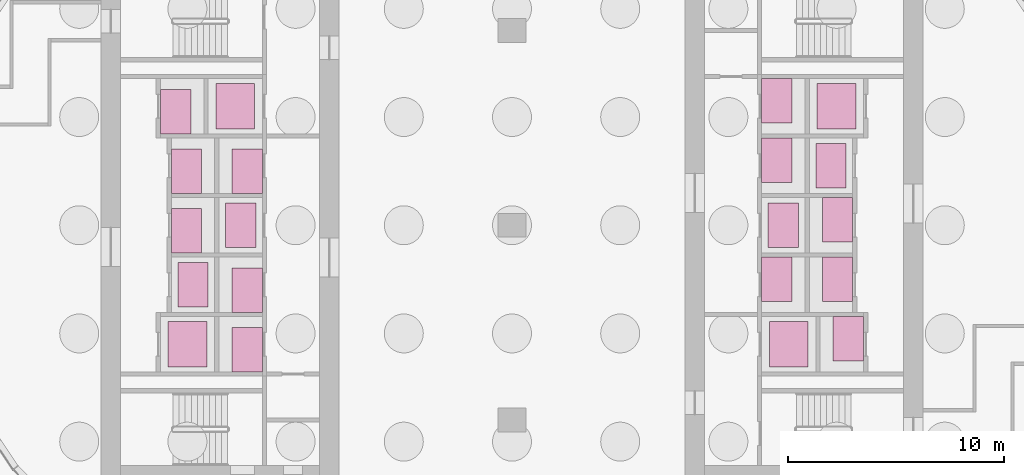
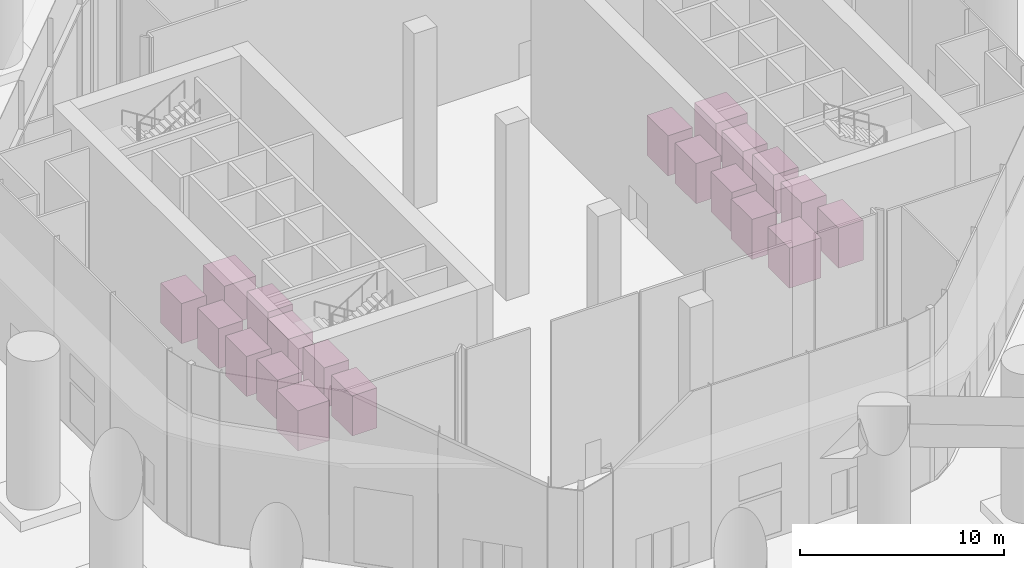
# One storey, part 31 of 31: 20 transport elements.
"""IFC4 building model written with IfcOpenShell, lengths in metres."""

from ifc_helpers import new_model, si_unit, direction, frame, origin, origin_2d, place, context, subcontext, project, spatial, rectangle, extrude, material, type_object, element, save


model = new_model("IFC4")

# Units and contexts
model_context = context("Model", 3, precision=1e-05, world=origin(), true_north=direction((0.0, 1.0)))
body_context = subcontext(model_context, "Body", "Model", "MODEL_VIEW")
ifc_project = project(units=[si_unit("LENGTHUNIT", "METRE"), si_unit("AREAUNIT", "SQUARE_METRE"), si_unit("VOLUMEUNIT", "CUBIC_METRE"), si_unit("PLANEANGLEUNIT", "RADIAN"), si_unit("MASSUNIT", "GRAM", prefix="KILO")], contexts=[model_context])

# Site, building, storey
site_placement = place(None, origin())
site = spatial("IfcSite", under=ifc_project, at=site_placement, CompositionType="ELEMENT")
building_placement = place(site_placement, origin())
building = spatial("IfcBuilding", under=site, at=building_placement, Name="Orlundy Tower", CompositionType="ELEMENT")
storey_placement = place(building_placement, origin())
storey = spatial("IfcBuildingStorey", under=building, at=storey_placement, Name="L00", CompositionType="ELEMENT", Elevation=0.0)

# Transport elements
ifc_material_1 = material(Name="Passenger Lift 1200 kg")
transport_element_type_1 = type_object("IfcTransportElementType", Name="Passenger Lift 1200 kg", PredefinedType="ELEVATOR", material=ifc_material_1)
for number, where, z_axis, x_axis, name in (
    (1, (-12.239990234375, -5.75, 0.0), (0.0, 0.0, 1.0), (1.0, 0.0, 0.0), "Lift LPD-01"),
    (2, (-12.239990234375, -3.0, 0.0), (0.0, 0.0, 1.0), (1.0, 0.0, 0.0), "Lift LS-01"),
    (3, (-14.739990234375, -2.75, 0.0), (0.0, 0.0, 1.0), (1.0, 0.0, 0.0), "Lift LS-03"),
    (4, (-12.5400390625, 0.0, 0.0), (0.0, 0.0, 1.0), (1.0, 0.0, 0.0), "Lift LP-05"),
    (5, (-15.0400390625, -0.25, 0.0), (0.0, 0.0, 1.0), (1.0, 0.0, 0.0), "Lift LP-01"),
    (6, (-12.239990234375, 2.5, 0.0), (0.0, 0.0, 1.0), (1.0, 0.0, 0.0), "Lift LP-02"),
    (7, (-15.0400390625, 2.5, 0.0), (0.0, 0.0, 1.0), (1.0, 0.0, 0.0), "Lift LP-03"),
    (8, (-15.5400390625, 5.25, 0.0), (0.0, 0.0, 1.0), (1.0, 0.0, 0.0), "Lift LP-04"),
    (9, (12.239990234375, 5.75, 0.0), (0.0, 0.0, 1.0), (1.0, 0.0, 0.0), "Lift LPD-02"),
    (10, (12.239990234375, 3.0, 0.0), (0.0, 0.0, 1.0), (1.0, 0.0, 0.0), "Lift LS-02"),
    (11, (14.739990234375, 2.75, 0.0), (0.0, 0.0, 1.0), (1.0, 0.0, 0.0), "Lift LS-04"),
    (12, (12.5400390625, 0.0, 0.0), (0.0, 0.0, 1.0), (1.0, 0.0, 0.0), "Lift LP-10"),
    (13, (15.0400390625, 0.25, 0.0), (0.0, 0.0, 1.0), (1.0, 0.0, 0.0), "Lift LP-06"),
    (14, (12.239990234375, -2.5, 0.0), (0.0, 0.0, 1.0), (1.0, 0.0, 0.0), "Lift LP-07"),
    (15, (15.0400390625, -2.5, 0.0), (0.0, 0.0, 1.0), (1.0, 0.0, 0.0), "Lift LP-08"),
    (16, (15.5400390625, -5.25, 0.0), (0.0, 0.0, 1.0), (1.0, 0.0, 0.0), "Lift LP-09"),
):
    element("IfcTransportElement", number, at=place(storey_placement, frame(where, z_axis=z_axis, x_axis=x_axis)), inside=storey, type_object=transport_element_type_1, Name=name, PredefinedType="ELEVATOR", context=body_context, shape_type="SweptSolid", body=[
        extrude(rectangle(XDim=1.39990234375, YDim=2.050048828125, at=origin_2d()), origin(), (0.0, 0.0, 1.0), 2.39990234375),
    ])
ifc_material_2 = material(Name="Stretcher Lift 1600 kg")
transport_element_type_2 = type_object("IfcTransportElementType", Name="Stretcher Lift 1600 kg", PredefinedType="ELEVATOR", material=ifc_material_2)
for number, where, z_axis, x_axis, name in (
    (17, (-14.989990234375, -5.5, 0.0), (0.0, 0.0, 1.0), (1.0, 0.0, 0.0), "Lift LV-01"),
    (18, (-12.7900390625, 5.5, 0.0), (0.0, 0.0, 1.0), (1.0, 0.0, 0.0), "Lift FL1"),
    (19, (14.989990234375, 5.5, 0.0), (0.0, 0.0, 1.0), (1.0, 0.0, 0.0), "Lift LV-02"),
    (20, (12.7900390625, -5.5, 0.0), (0.0, 0.0, 1.0), (1.0, 0.0, 0.0), "Lift FL2"),
):
    element("IfcTransportElement", number, at=place(storey_placement, frame(where, z_axis=z_axis, x_axis=x_axis)), inside=storey, type_object=transport_element_type_2, Name=name, PredefinedType="ELEVATOR", context=body_context, shape_type="SweptSolid", body=[
        extrude(rectangle(XDim=1.800048828125, YDim=2.10009765625, at=origin_2d()), origin(), (0.0, 0.0, 1.0), 2.39990234375),
    ])

save(model, "model.ifc")
